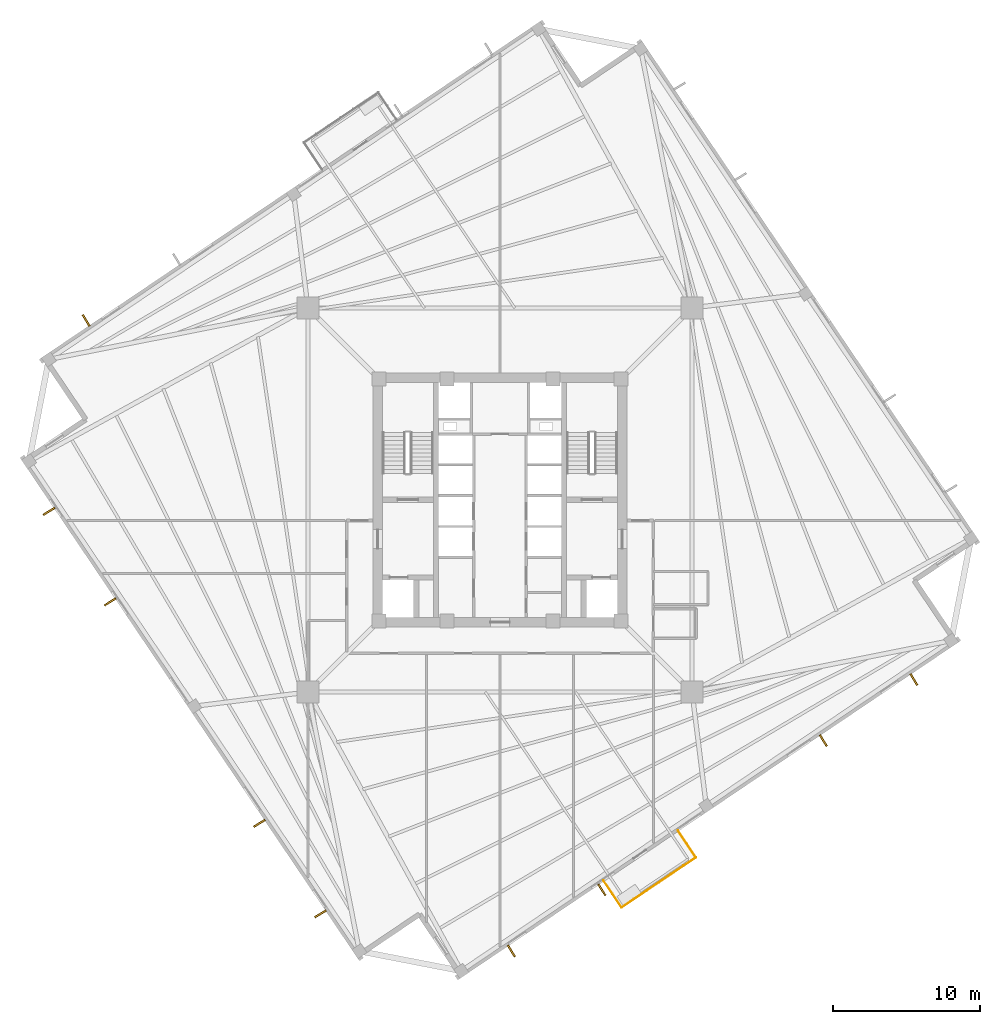
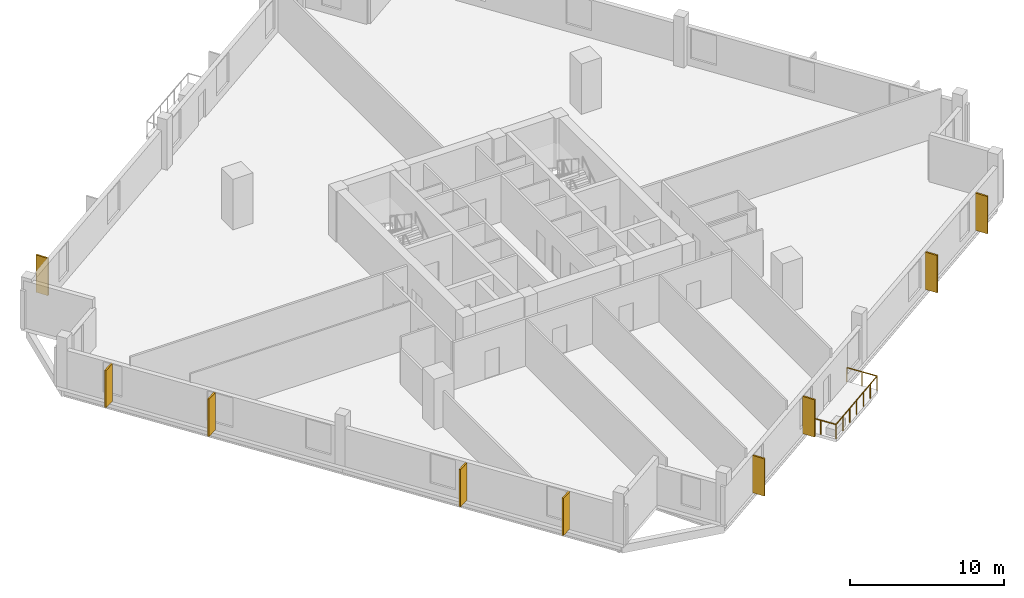
# One storey, part 6 of 8: 9 coverings, 3 railings.
"""IFC4 building model written with IfcOpenShell, lengths in metres."""

import ifcopenshell
import ifcopenshell.guid

model = None  # the IFC model being written
_history = None  # IfcOwnerHistory: only IFC2X3 demands one
_inside = {}  # id of a spatial element -> (the spatial element, [elements in it])
_under = {}  # id of a project, library or spatial element -> (it, [spatial elements below it])
_declared = {}  # id of a project -> (the project, [libraries it declares])
_typed = {}  # id of a type object -> (the type object, [elements of that type])
_made_of = {}  # id of a material, layer set ... -> (it, [elements and type objects made of it])


def new_model(schema):
    """Start an empty IFC model of exactly this schema.

    Asked for "IFC4X3", IfcOpenShell would pick the latest addendum, in which some entities
    have other attributes; the version numbers below select the first issue.
    IFC2X3 requires an IfcOwnerHistory on every rooted entity: one is made here for all.
    """
    global model, _history
    if schema == "IFC4X3":
        model = ifcopenshell.file(schema_version=(4, 3, 0, 0))
    else:
        model = ifcopenshell.file(schema=schema)
    _inside.clear()
    _under.clear()
    _declared.clear()
    _typed.clear()
    _made_of.clear()
    _history = None
    if model.schema == "IFC2X3":
        org = make("IfcOrganization", Name="unknown")
        user = make(
            "IfcPersonAndOrganization",
            ThePerson=make("IfcPerson", FamilyName="unknown"),
            TheOrganization=org,
        )
        app = make(
            "IfcApplication",
            ApplicationDeveloper=org,
            Version="unknown",
            ApplicationFullName="unknown",
            ApplicationIdentifier="unknown",
        )
        _history = make(
            "IfcOwnerHistory",
            OwningUser=user,
            OwningApplication=app,
            ChangeAction="ADDED",
            CreationDate=0,
        )
    return model


def make(cls, **values):
    """One entity of the class cls with the attributes given. An attribute that is None is left unset."""
    return model.create_entity(
        cls, **{name: value for name, value in values.items() if value is not None}
    )


def rooted(cls, **values):
    """An entity with a GlobalId (a new one), such as an element, a storey or a relation."""
    return make(cls, GlobalId=ifcopenshell.guid.new(), OwnerHistory=_history, **values)


def si_unit(unit_type, name, prefix=None):
    """IfcSIUnit, for example si_unit("LENGTHUNIT", "METRE", prefix="MILLI")."""
    return make("IfcSIUnit", UnitType=unit_type, Prefix=prefix, Name=name)


def assignment(units):
    """IfcUnitAssignment: the units of a project."""
    return None if units is None else make("IfcUnitAssignment", Units=units)


def point(xyz):
    """IfcCartesianPoint."""
    return None if xyz is None else make("IfcCartesianPoint", Coordinates=xyz)


def direction(xyz):
    """IfcDirection."""
    return None if xyz is None else make("IfcDirection", DirectionRatios=xyz)


def frame(location, z_axis=None, x_axis=None):
    """IfcAxis2Placement3D, a coordinate frame: its origin and axes. An axis left out is left unset."""
    return make(
        "IfcAxis2Placement3D",
        Location=point(location),
        Axis=direction(z_axis),
        RefDirection=direction(x_axis),
    )


def frame_2d(location, x_axis=None):
    """IfcAxis2Placement2D, a coordinate frame in the plane: its origin and x axis."""
    return make(
        "IfcAxis2Placement2D", Location=point(location), RefDirection=direction(x_axis)
    )


def origin():
    """The frame at (0, 0, 0) with its axes left unset."""
    return frame((0.0, 0.0, 0.0))


def origin_2d():
    """The frame at (0, 0) in the plane with its x axis left unset."""
    return frame_2d((0.0, 0.0))


def place(relative_to, where):
    """IfcLocalPlacement: puts the frame where relative to a parent placement (None: the world)."""
    return make(
        "IfcLocalPlacement", PlacementRelTo=relative_to, RelativePlacement=where
    )


def context(
    kind, dimensions, precision=None, world=None, true_north=None, identifier=None
):
    """IfcGeometricRepresentationContext, for example the 3D "Model" context."""
    return make(
        "IfcGeometricRepresentationContext",
        ContextIdentifier=identifier,
        ContextType=kind,
        CoordinateSpaceDimension=dimensions,
        Precision=precision,
        WorldCoordinateSystem=world,
        TrueNorth=true_north,
    )


def subcontext(parent, identifier, kind, view, scale=None):
    """IfcGeometricRepresentationSubContext, for example "Body" below "Model"."""
    return make(
        "IfcGeometricRepresentationSubContext",
        ContextIdentifier=identifier,
        ContextType=kind,
        ParentContext=parent,
        TargetScale=scale,
        TargetView=view,
    )


def project(units=None, contexts=None):
    """IfcProject with its units and contexts."""
    return rooted(
        "IfcProject",
        Name="project",
        RepresentationContexts=contexts,
        UnitsInContext=assignment(units),
    )


def spatial(cls, under=None, at=None, **own):
    """A site, building, storey or space (cls), placed at a placement, below another one or the project."""
    s = rooted(cls, ObjectPlacement=at, **own)
    if under is not None:
        _under.setdefault(under.id(), (under, []))[1].append(s)
    return s


def profile(cls, at=None, kind="AREA", **sizes):
    """A parametric profile (cls). Its sizes go by their IFC names, for example OverallWidth=200.0."""
    return make(cls, ProfileType=kind, Position=at, **sizes)


def rectangle(**sizes):
    """IfcRectangleProfileDef."""
    return profile("IfcRectangleProfileDef", **sizes)


def circle(**sizes):
    """IfcCircleProfileDef."""
    return profile("IfcCircleProfileDef", **sizes)


def extrude(swept, where, along, depth):
    """IfcExtrudedAreaSolid: the profile swept, set in the frame where, extruded along a direction by depth."""
    return make(
        "IfcExtrudedAreaSolid",
        SweptArea=swept,
        Position=where,
        ExtrudedDirection=direction(along),
        Depth=depth,
    )


def shape(context_of_items, identifier, shape_type, items):
    """IfcShapeRepresentation: the items that make up one representation, for example the "Body"."""
    return make(
        "IfcShapeRepresentation",
        ContextOfItems=context_of_items,
        RepresentationIdentifier=identifier,
        RepresentationType=shape_type,
        Items=items,
    )


def source(mapping_origin, context_of_items, identifier, shape_type, items):
    """IfcRepresentationMap: a shape defined once, which mapped items show again and again."""
    return make(
        "IfcRepresentationMap",
        MappingOrigin=mapping_origin,
        MappedRepresentation=shape(context_of_items, identifier, shape_type, items),
    )


def transform(
    local_origin,
    x_axis=None,
    y_axis=None,
    z_axis=None,
    scale=None,
    scale2=None,
    scale3=None,
    uniform=True,
):
    """IfcCartesianTransformationOperator3D, or its non-uniform kind. x_axis, y_axis, z_axis: its Axis1, 2, 3."""
    if uniform:
        return make(
            "IfcCartesianTransformationOperator3D",
            Axis1=direction(x_axis),
            Axis2=direction(y_axis),
            LocalOrigin=point(local_origin),
            Scale=scale,
            Axis3=direction(z_axis),
        )
    return make(
        "IfcCartesianTransformationOperator3DnonUniform",
        Axis1=direction(x_axis),
        Axis2=direction(y_axis),
        LocalOrigin=point(local_origin),
        Scale=scale,
        Axis3=direction(z_axis),
        Scale2=scale2,
        Scale3=scale3,
    )


def mapped(mapping_source, mapping_target):
    """IfcMappedItem: shows the shape of a source again, moved by a transform."""
    return make(
        "IfcMappedItem", MappingSource=mapping_source, MappingTarget=mapping_target
    )


def material(Name=None, Category=None):
    """IfcMaterial."""
    return make("IfcMaterial", Name=Name, Category=Category)


def layer(
    of_material, thickness, ventilated=None, Name=None, Category=None, Priority=None
):
    """IfcMaterialLayer: one layer of a wall or slab, of a material (None: an air gap)."""
    return make(
        "IfcMaterialLayer",
        Material=of_material,
        LayerThickness=thickness,
        IsVentilated=ventilated,
        Name=Name,
        Category=Category,
        Priority=Priority,
    )


def layer_set(layers, Name=None):
    """IfcMaterialLayerSet."""
    return make("IfcMaterialLayerSet", MaterialLayers=layers, LayerSetName=Name)


def made_of(thing, what):
    """Note that an element or type object is made of a material, layer set ...; save() writes the relation."""
    if what is not None:
        _made_of.setdefault(what.id(), (what, []))[1].append(thing)
    return thing


def type_object(cls, material=None, **own):
    """A type object (cls), such as IfcWallType, which elements share."""
    return made_of(rooted(cls, **own), material)


def element(
    cls,
    number,
    at=None,
    inside=None,
    cuts=None,
    type_object=None,
    material=None,
    context=None,
    identifier="Body",
    shape_type=None,
    held_by="IfcProductDefinitionShape",
    body=None,
    shapes=None,
    **own,
):
    """One element of the class cls, such as IfcWall. Its Tag is "e" and its number.

    at: its placement. inside: the storey or other place that contains it. cuts: it is an
    opening in that element (IfcRelVoidsElement). A single representation is given by context,
    identifier, shape_type and body (its items); several are given by shapes. held_by: the class
    of the entity that holds the representations. save() writes the other relations.
    """
    e = rooted(cls, Tag="e%d" % number, ObjectPlacement=at, **own)
    if body is not None:
        shapes = [shape(context, identifier, shape_type, body)]
    if shapes is not None:
        e.Representation = make(held_by, Representations=shapes)
    if inside is not None:
        _inside.setdefault(inside.id(), (inside, []))[1].append(e)
    if cuts is not None:
        rooted(
            "IfcRelVoidsElement", RelatingBuildingElement=cuts, RelatedOpeningElement=e
        )
    if type_object is not None:
        _typed.setdefault(type_object.id(), (type_object, []))[1].append(e)
    return made_of(e, material)


def aggregate(whole, parts):
    """IfcRelAggregates: a whole, such as a stair, and the parts it consists of."""
    return rooted("IfcRelAggregates", RelatingObject=whole, RelatedObjects=parts)


def save(model, path):
    """Write the relations noted so far, then the file.

    IfcRelAggregates (storeys below a building ...), IfcRelContainedInSpatialStructure (elements
    in a storey), IfcRelDefinesByType, IfcRelAssociatesMaterial and IfcRelDeclares: one each for
    every whole, place, type object, material and project.
    """
    for whole, parts in _under.values():
        aggregate(whole, parts)
    for where, things in _inside.values():
        rooted(
            "IfcRelContainedInSpatialStructure",
            RelatedElements=things,
            RelatingStructure=where,
        )
    for kind, things in _typed.values():
        rooted("IfcRelDefinesByType", RelatedObjects=things, RelatingType=kind)
    for what, things in _made_of.values():
        rooted("IfcRelAssociatesMaterial", RelatedObjects=things, RelatingMaterial=what)
    for by, libraries in _declared.values():
        rooted("IfcRelDeclares", RelatingContext=by, RelatedDefinitions=libraries)
    model.write(path)


model = new_model("IFC4")

# Units and contexts
model_context = context("Model", 3, precision=1e-05, world=origin(), true_north=direction((0.0, 1.0)))
body_context = subcontext(model_context, "Body", "Model", "MODEL_VIEW")
ifc_project = project(units=[si_unit("LENGTHUNIT", "METRE"), si_unit("AREAUNIT", "SQUARE_METRE"), si_unit("VOLUMEUNIT", "CUBIC_METRE"), si_unit("PLANEANGLEUNIT", "RADIAN"), si_unit("MASSUNIT", "GRAM", prefix="KILO"), si_unit("THERMODYNAMICTEMPERATUREUNIT", "KELVIN")], contexts=[model_context])

# Site, building, storey
site_placement = place(None, origin())
site = spatial("IfcSite", under=ifc_project, at=site_placement, CompositionType="ELEMENT")
building_placement = place(site_placement, origin())
building = spatial("IfcBuilding", under=site, at=building_placement, Name="Kosmvard Interchange Tower", CompositionType="ELEMENT")
storey_placement = place(building_placement, frame((0.0, 0.0, 152.39990234375)))
storey = spatial("IfcBuildingStorey", under=building, at=storey_placement, Name="L36", CompositionType="ELEMENT", Elevation=152.39990234375)

# Coverings
ifc_material_1 = material(Name="Architectural anodised aluminium", Category="aluminium")
ifc_layer = layer(ifc_material_1, 0.1201171875, Name="Architectural anodised aluminium")
ifc_layer_set = layer_set([ifc_layer], Name="Architectural anodised aluminium")
covering_type = type_object("IfcCoveringType", Name="Rotating Vertical Sun-Breaker Fin 900x120 Aluminium", PredefinedType="CLADDING", material=ifc_layer_set)
shared_shape_1 = source(origin(), body_context, "Body", "SweptSolid", [
    extrude(rectangle(XDim=0.89990234375, YDim=0.1201171875, at=origin_2d()), origin(), (0.0, 0.0, 1.0), 2.9599609375),
])
for number, where, z_axis, x_axis, name in (
    (1, (0.774169921875, -30.718994140625, 0.0400390625), (0.0, 0.0, 1.0), (0.529475154669, -0.848325444973, 0.0), "L36 Rotating Vertical Sun-Breaker Fin 01"),
    (2, (6.943115234375, -26.557861328125, 0.0400390625), (0.0, 0.0, 1.0), (0.529475154669, -0.848325444973, 0.0), "L36 Rotating Vertical Sun-Breaker Fin 02"),
    (3, (22.02294921875, -16.38623046875, 0.0400390625), (0.0, 0.0, 1.0), (0.529475154669, -0.848325444973, 0.0), "L36 Rotating Vertical Sun-Breaker Fin 03"),
    (4, (28.192138671875, -12.225341796875, 0.0400390625), (0.0, 0.0, 1.0), (0.529475154669, -0.848325444973, 0.0), "L36 Rotating Vertical Sun-Breaker Fin 04"),
    (5, (-28.192138671875, 12.225341796875, 0.0400390625), (0.0, 0.0, 1.0), (-0.529475154669, 0.848325444973, 0.0), "L36 Rotating Vertical Sun-Breaker Fin 12"),
    (6, (-30.718994140625, -0.774169921875, 0.0400390625), (0.0, 0.0, 1.0), (-0.848325444973, -0.529475154669, 0.0), "L36 Rotating Vertical Sun-Breaker Fin 13"),
    (7, (-26.557861328125, -6.943115234375, 0.0400390625), (0.0, 0.0, 1.0), (-0.848325444973, -0.529475154669, 0.0), "L36 Rotating Vertical Sun-Breaker Fin 14"),
    (8, (-16.38623046875, -22.02294921875, 0.0400390625), (0.0, 0.0, 1.0), (-0.848325444973, -0.529475154669, 0.0), "L36 Rotating Vertical Sun-Breaker Fin 15"),
    (9, (-12.225341796875, -28.192138671875, 0.0400390625), (0.0, 0.0, 1.0), (-0.848325444973, -0.529475154669, 0.0), "L36 Rotating Vertical Sun-Breaker Fin 16"),
):
    element("IfcCovering", number, at=place(storey_placement, frame(where, z_axis=z_axis, x_axis=x_axis)), inside=storey, type_object=covering_type, Name=name, PredefinedType="CLADDING", context=body_context, shape_type="MappedRepresentation", body=[
        mapped(shared_shape_1, transform((0.0, 0.0, 0.0), scale=1.0)),
    ])

# Railings
ifc_material_2 = material(Name="Steel S355", Category="steel")
railing_type = type_object("IfcRailingType", Name="Observation & Balcony Glass-Infill Balustrade 1150", PredefinedType="BALUSTRADE", material=ifc_material_2)
shared_shape_2 = source(origin(), body_context, "Body", "SweptSolid", [
    extrude(circle(Radius=0.02392578125, at=origin_2d()), frame((0.0, 0.0, 1.1259765625), z_axis=(0.559173597279, -0.829050594418, 0.0), x_axis=(0.829050594418, 0.559173597279, 0.0)), (0.0, 0.0, 1.0), 2.2001953125),
    extrude(circle(Radius=0.02099609375, at=origin_2d()), origin(), (0.0, 0.0, 1.0), 1.101806640625),
    extrude(circle(Radius=0.02099609375, at=origin_2d()), frame((0.615234375, -0.912109375, 0.0)), (0.0, 0.0, 1.0), 1.101806640625),
    extrude(circle(Radius=0.02099609375, at=origin_2d()), frame((1.230224609375, -1.823974609375, 0.0)), (0.0, 0.0, 1.0), 1.101806640625),
])
railing_1_placement = place(storey_placement, frame((7.060302734375, -25.93603515625, 0.0)))
element("IfcRailing", 10, at=railing_1_placement, inside=storey, type_object=railing_type, Name="L36 Outdoor Terrace Guard BAL-L36-S-A", PredefinedType="BALUSTRADE", context=body_context, shape_type="MappedRepresentation", body=[
    mapped(shared_shape_2, transform((0.0, 0.0, 0.0), scale=1.0)),
])
shared_shape_3 = source(origin(), body_context, "Body", "SweptSolid", [
    extrude(circle(Radius=0.02392578125, at=origin_2d()), frame((0.0, 0.0, 1.1259765625), z_axis=(0.829033294248, 0.55919924627, 0.0), x_axis=(-0.55919924627, 0.829033294248, 0.0)), (0.0, 0.0, 1.0), 6.10009765625),
    extrude(circle(Radius=0.02099609375, at=origin_2d()), origin(), (0.0, 0.0, 1.0), 1.101806640625),
    extrude(circle(Radius=0.02099609375, at=origin_2d()), frame((0.8427734375, 0.568603515625, 0.0)), (0.0, 0.0, 1.0), 1.101806640625),
    extrude(circle(Radius=0.02099609375, at=origin_2d()), frame((1.685791015625, 1.136962890625, 0.0)), (0.0, 0.0, 1.0), 1.101806640625),
    extrude(circle(Radius=0.02099609375, at=origin_2d()), frame((2.528564453125, 1.70556640625, 0.0)), (0.0, 0.0, 1.0), 1.101806640625),
    extrude(circle(Radius=0.02099609375, at=origin_2d()), frame((3.371337890625, 2.274169921875, 0.0)), (0.0, 0.0, 1.0), 1.101806640625),
    extrude(circle(Radius=0.02099609375, at=origin_2d()), frame((4.21435546875, 2.842529296875, 0.0)), (0.0, 0.0, 1.0), 1.101806640625),
    extrude(circle(Radius=0.02099609375, at=origin_2d()), frame((5.05712890625, 3.4111328125, 0.0)), (0.0, 0.0, 1.0), 1.101806640625),
])
railing_2_placement = place(storey_placement, frame((8.29052734375, -27.760009765625, 0.0)))
element("IfcRailing", 11, at=railing_2_placement, inside=storey, type_object=railing_type, Name="L36 Outdoor Terrace Guard BAL-L36-S-B", PredefinedType="BALUSTRADE", context=body_context, shape_type="MappedRepresentation", body=[
    mapped(shared_shape_3, transform((0.0, 0.0, 0.0), scale=1.0)),
])
shared_shape_4 = source(origin(), body_context, "Body", "SweptSolid", [
    extrude(circle(Radius=0.02392578125, at=origin_2d()), frame((0.0, 0.0, 1.1259765625), z_axis=(-0.559173597279, 0.829050594418, 0.0), x_axis=(-0.829050594418, -0.559173597279, 0.0)), (0.0, 0.0, 1.0), 2.2001953125),
    extrude(circle(Radius=0.02099609375, at=origin_2d()), origin(), (0.0, 0.0, 1.0), 1.101806640625),
    extrude(circle(Radius=0.02099609375, at=origin_2d()), frame((-0.615234375, 0.912109375, 0.0)), (0.0, 0.0, 1.0), 1.101806640625),
    extrude(circle(Radius=0.02099609375, at=origin_2d()), frame((-1.230224609375, 1.823974609375, 0.0)), (0.0, 0.0, 1.0), 1.101806640625),
])
railing_3_placement = place(storey_placement, frame((13.34765625, -24.348876953125, 0.0)))
element("IfcRailing", 12, at=railing_3_placement, inside=storey, type_object=railing_type, Name="L36 Outdoor Terrace Guard BAL-L36-S-C", PredefinedType="BALUSTRADE", context=body_context, shape_type="MappedRepresentation", body=[
    mapped(shared_shape_4, transform((0.0, 0.0, 0.0), scale=1.0)),
])

save(model, "model.ifc")
